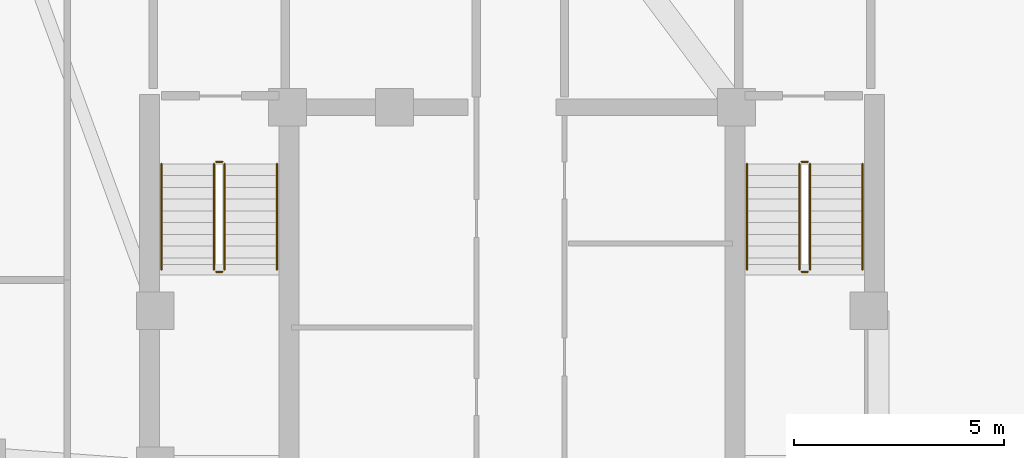
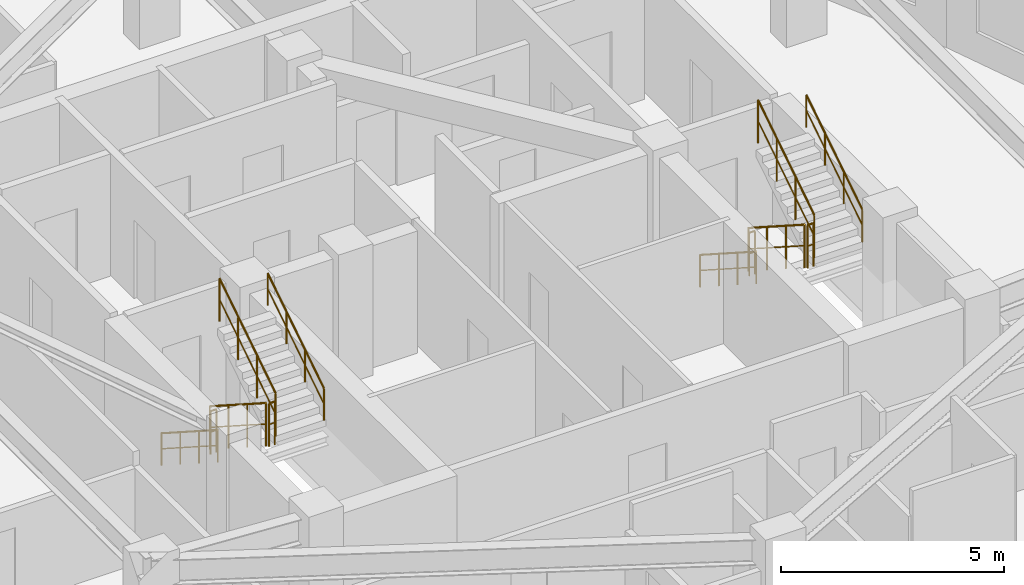
# One storey, part 12 of 12: 12 railings.
"""IFC4 building model written with IfcOpenShell, lengths in metres."""

from ifc_helpers import new_model, si_unit, direction, frame, origin, origin_2d, place, context, subcontext, project, spatial, circle, extrude, material, type_object, element, save


model = new_model("IFC4")

# Units and contexts
model_context = context("Model", 3, precision=1e-05, world=origin(), true_north=direction((0.0, 1.0)))
body_context = subcontext(model_context, "Body", "Model", "MODEL_VIEW")
ifc_project = project(units=[si_unit("LENGTHUNIT", "METRE"), si_unit("AREAUNIT", "SQUARE_METRE"), si_unit("VOLUMEUNIT", "CUBIC_METRE"), si_unit("PLANEANGLEUNIT", "RADIAN"), si_unit("MASSUNIT", "GRAM", prefix="KILO")], contexts=[model_context])

# Site, building, storey
site_placement = place(None, origin())
site = spatial("IfcSite", under=ifc_project, at=site_placement, CompositionType="ELEMENT")
building_placement = place(site_placement, origin())
building = spatial("IfcBuilding", under=site, at=building_placement, Name="Miruveldt Soraemaru", CompositionType="ELEMENT")
storey_placement = place(building_placement, frame((0.0, 0.0, 219.60009765625)))
storey = spatial("IfcBuildingStorey", under=building, at=storey_placement, Name="L60", CompositionType="ELEMENT", Elevation=219.60009765625)

# Railings
ifc_material = material(Name="Steel S355 (355 MPa)", Category="steel")
railing_type_1 = type_object("IfcRailingType", Name="RAIL-HR-900", PredefinedType="HANDRAIL", material=ifc_material)
railing_1_placement = place(storey_placement, frame((35.64990234375, 42.699951171875, 0.179931640625)))
element("IfcRailing", 1, at=railing_1_placement, inside=storey, type_object=railing_type_1, Name="L60 ST-1 stair handrail 1", PredefinedType="HANDRAIL", context=body_context, shape_type="SweptSolid", body=[
    extrude(circle(Radius=0.02392578125, at=origin_2d()), frame((0.0, 0.0, 0.8759765625), z_axis=(0.0, -0.841199657755, 0.540724639528), x_axis=(1.0, 0.0, 0.0)), (0.0, 0.0, 1.0), 2.995849609375),
    extrude(circle(Radius=0.01611328125, at=origin_2d()), frame((0.0, 0.0, 0.449951171875), z_axis=(0.0, -0.841199657755, 0.540724639528), x_axis=(1.0, 0.0, 0.0)), (0.0, 0.0, 1.0), 2.995849609375),
    extrude(circle(Radius=0.02099609375, at=origin_2d()), origin(), (0.0, 0.0, 1.0), 0.851806640625),
    extrude(circle(Radius=0.02099609375, at=origin_2d()), frame((0.0, -0.840087890625, 0.5400390625)), (0.0, 0.0, 1.0), 0.851806640625),
    extrude(circle(Radius=0.02099609375, at=origin_2d()), frame((0.0, -1.679931640625, 1.079833984375)), (0.0, 0.0, 1.0), 0.851806640625),
    extrude(circle(Radius=0.02099609375, at=origin_2d()), frame((0.0, -2.52001953125, 1.619873046875)), (0.0, 0.0, 1.0), 0.851806640625),
])
railing_2_placement = place(storey_placement, frame((38.39990234375, 40.179931640625, 1.97998046875)))
element("IfcRailing", 2, at=railing_2_placement, inside=storey, type_object=railing_type_1, Name="L60 ST-1 stair handrail 2", PredefinedType="HANDRAIL", context=body_context, shape_type="SweptSolid", body=[
    extrude(circle(Radius=0.02392578125, at=origin_2d()), frame((0.0, 0.0, 0.8759765625), z_axis=(0.0, 0.841199657755, 0.540724639528), x_axis=(-1.0, 0.0, 0.0)), (0.0, 0.0, 1.0), 2.995849609375),
    extrude(circle(Radius=0.01611328125, at=origin_2d()), frame((0.0, 0.0, 0.449951171875), z_axis=(0.0, 0.841199657755, 0.540724639528), x_axis=(-1.0, 0.0, 0.0)), (0.0, 0.0, 1.0), 2.995849609375),
    extrude(circle(Radius=0.02099609375, at=origin_2d()), origin(), (0.0, 0.0, 1.0), 0.851806640625),
    extrude(circle(Radius=0.02099609375, at=origin_2d()), frame((0.0, 0.840087890625, 0.5400390625)), (0.0, 0.0, 1.0), 0.851806640625),
    extrude(circle(Radius=0.02099609375, at=origin_2d()), frame((0.0, 1.679931640625, 1.079833984375)), (0.0, 0.0, 1.0), 0.851806640625),
    extrude(circle(Radius=0.02099609375, at=origin_2d()), frame((0.0, 2.52001953125, 1.619873046875)), (0.0, 0.0, 1.0), 0.851806640625),
])
railing_3_placement = place(storey_placement, frame((49.60009765625, 42.699951171875, 0.179931640625)))
element("IfcRailing", 3, at=railing_3_placement, inside=storey, type_object=railing_type_1, Name="L60 ST-2 stair handrail 1", PredefinedType="HANDRAIL", context=body_context, shape_type="SweptSolid", body=[
    extrude(circle(Radius=0.02392578125, at=origin_2d()), frame((0.0, 0.0, 0.8759765625), z_axis=(0.0, -0.841199657755, 0.540724639528), x_axis=(1.0, 0.0, 0.0)), (0.0, 0.0, 1.0), 2.995849609375),
    extrude(circle(Radius=0.01611328125, at=origin_2d()), frame((0.0, 0.0, 0.449951171875), z_axis=(0.0, -0.841199657755, 0.540724639528), x_axis=(1.0, 0.0, 0.0)), (0.0, 0.0, 1.0), 2.995849609375),
    extrude(circle(Radius=0.02099609375, at=origin_2d()), origin(), (0.0, 0.0, 1.0), 0.851806640625),
    extrude(circle(Radius=0.02099609375, at=origin_2d()), frame((0.0, -0.840087890625, 0.5400390625)), (0.0, 0.0, 1.0), 0.851806640625),
    extrude(circle(Radius=0.02099609375, at=origin_2d()), frame((0.0, -1.679931640625, 1.079833984375)), (0.0, 0.0, 1.0), 0.851806640625),
    extrude(circle(Radius=0.02099609375, at=origin_2d()), frame((0.0, -2.52001953125, 1.619873046875)), (0.0, 0.0, 1.0), 0.851806640625),
])
railing_4_placement = place(storey_placement, frame((52.35009765625, 40.179931640625, 1.97998046875)))
element("IfcRailing", 4, at=railing_4_placement, inside=storey, type_object=railing_type_1, Name="L60 ST-2 stair handrail 2", PredefinedType="HANDRAIL", context=body_context, shape_type="SweptSolid", body=[
    extrude(circle(Radius=0.02392578125, at=origin_2d()), frame((0.0, 0.0, 0.8759765625), z_axis=(0.0, 0.841199657755, 0.540724639528), x_axis=(-1.0, 0.0, 0.0)), (0.0, 0.0, 1.0), 2.995849609375),
    extrude(circle(Radius=0.01611328125, at=origin_2d()), frame((0.0, 0.0, 0.449951171875), z_axis=(0.0, 0.841199657755, 0.540724639528), x_axis=(-1.0, 0.0, 0.0)), (0.0, 0.0, 1.0), 2.995849609375),
    extrude(circle(Radius=0.02099609375, at=origin_2d()), origin(), (0.0, 0.0, 1.0), 0.851806640625),
    extrude(circle(Radius=0.02099609375, at=origin_2d()), frame((0.0, 0.840087890625, 0.5400390625)), (0.0, 0.0, 1.0), 0.851806640625),
    extrude(circle(Radius=0.02099609375, at=origin_2d()), frame((0.0, 1.679931640625, 1.079833984375)), (0.0, 0.0, 1.0), 0.851806640625),
    extrude(circle(Radius=0.02099609375, at=origin_2d()), frame((0.0, 2.52001953125, 1.619873046875)), (0.0, 0.0, 1.0), 0.851806640625),
])
railing_type_2 = type_object("IfcRailingType", Name="RAIL-STGUARD-1200", PredefinedType="GUARDRAIL", material=ifc_material)
railing_5_placement = place(storey_placement, frame((36.89990234375, 42.699951171875, 0.179931640625)))
element("IfcRailing", 5, at=railing_5_placement, inside=storey, type_object=railing_type_2, Name="L60 ST-1 stair guard 1", PredefinedType="GUARDRAIL", context=body_context, shape_type="SweptSolid", body=[
    extrude(circle(Radius=0.02392578125, at=origin_2d()), frame((0.0, 0.0, 1.17578125), z_axis=(0.0, -0.841199657755, 0.540724639528), x_axis=(1.0, 0.0, 0.0)), (0.0, 0.0, 1.0), 2.995849609375),
    extrude(circle(Radius=0.01611328125, at=origin_2d()), frame((0.0, 0.0, 0.60009765625), z_axis=(0.0, -0.841199657755, 0.540724639528), x_axis=(1.0, 0.0, 0.0)), (0.0, 0.0, 1.0), 2.995849609375),
    extrude(circle(Radius=0.02099609375, at=origin_2d()), origin(), (0.0, 0.0, 1.0), 1.15185546875),
    extrude(circle(Radius=0.02099609375, at=origin_2d()), frame((0.0, -0.840087890625, 0.5400390625)), (0.0, 0.0, 1.0), 1.15185546875),
    extrude(circle(Radius=0.02099609375, at=origin_2d()), frame((0.0, -1.679931640625, 1.079833984375)), (0.0, 0.0, 1.0), 1.15185546875),
    extrude(circle(Radius=0.02099609375, at=origin_2d()), frame((0.0, -2.52001953125, 1.619873046875)), (0.0, 0.0, 1.0), 1.15185546875),
])
railing_6_placement = place(storey_placement, frame((36.949951171875, 40.1298828125, 1.7998046875)))
element("IfcRailing", 6, at=railing_6_placement, inside=storey, type_object=railing_type_2, Name="L60 ST-1 stair guard 2", PredefinedType="GUARDRAIL", context=body_context, shape_type="SweptSolid", body=[
    extrude(circle(Radius=0.02392578125, at=origin_2d()), frame((0.0, 0.0, 1.17578125), z_axis=(1.0, 0.0, 0.0), x_axis=(0.0, 1.0, 0.0)), (0.0, 0.0, 1.0), 0.150146484375),
    extrude(circle(Radius=0.01611328125, at=origin_2d()), frame((0.0, 0.0, 0.60009765625), z_axis=(1.0, 0.0, 0.0), x_axis=(0.0, 1.0, 0.0)), (0.0, 0.0, 1.0), 0.150146484375),
    extrude(circle(Radius=0.02099609375, at=origin_2d()), origin(), (0.0, 0.0, 1.0), 1.15185546875),
    extrude(circle(Radius=0.02099609375, at=origin_2d()), frame((0.150146484375, 0.0, 0.0)), (0.0, 0.0, 1.0), 1.15185546875),
])
railing_7_placement = place(storey_placement, frame((37.14990234375, 40.179931640625, 1.97998046875)))
element("IfcRailing", 7, at=railing_7_placement, inside=storey, type_object=railing_type_2, Name="L60 ST-1 stair guard 3", PredefinedType="GUARDRAIL", context=body_context, shape_type="SweptSolid", body=[
    extrude(circle(Radius=0.02392578125, at=origin_2d()), frame((0.0, 0.0, 1.17578125), z_axis=(0.0, 0.841199657755, 0.540724639528), x_axis=(-1.0, 0.0, 0.0)), (0.0, 0.0, 1.0), 2.995849609375),
    extrude(circle(Radius=0.01611328125, at=origin_2d()), frame((0.0, 0.0, 0.60009765625), z_axis=(0.0, 0.841199657755, 0.540724639528), x_axis=(-1.0, 0.0, 0.0)), (0.0, 0.0, 1.0), 2.995849609375),
    extrude(circle(Radius=0.02099609375, at=origin_2d()), origin(), (0.0, 0.0, 1.0), 1.15185546875),
    extrude(circle(Radius=0.02099609375, at=origin_2d()), frame((0.0, 0.840087890625, 0.5400390625)), (0.0, 0.0, 1.0), 1.15185546875),
    extrude(circle(Radius=0.02099609375, at=origin_2d()), frame((0.0, 1.679931640625, 1.079833984375)), (0.0, 0.0, 1.0), 1.15185546875),
    extrude(circle(Radius=0.02099609375, at=origin_2d()), frame((0.0, 2.52001953125, 1.619873046875)), (0.0, 0.0, 1.0), 1.15185546875),
])
railing_8_placement = place(storey_placement, frame((36.949951171875, 42.75, 0.0)))
element("IfcRailing", 8, at=railing_8_placement, inside=storey, type_object=railing_type_2, Name="L60 ST-1 stair guard 4", PredefinedType="GUARDRAIL", context=body_context, shape_type="SweptSolid", body=[
    extrude(circle(Radius=0.02392578125, at=origin_2d()), frame((0.0, 0.0, 1.17578125), z_axis=(1.0, 0.0, 0.0), x_axis=(0.0, 1.0, 0.0)), (0.0, 0.0, 1.0), 0.150146484375),
    extrude(circle(Radius=0.01611328125, at=origin_2d()), frame((0.0, 0.0, 0.60009765625), z_axis=(1.0, 0.0, 0.0), x_axis=(0.0, 1.0, 0.0)), (0.0, 0.0, 1.0), 0.150146484375),
    extrude(circle(Radius=0.02099609375, at=origin_2d()), origin(), (0.0, 0.0, 1.0), 1.15185546875),
    extrude(circle(Radius=0.02099609375, at=origin_2d()), frame((0.150146484375, 0.0, 0.0)), (0.0, 0.0, 1.0), 1.15185546875),
])
railing_9_placement = place(storey_placement, frame((50.85009765625, 42.699951171875, 0.179931640625)))
element("IfcRailing", 9, at=railing_9_placement, inside=storey, type_object=railing_type_2, Name="L60 ST-2 stair guard 1", PredefinedType="GUARDRAIL", context=body_context, shape_type="SweptSolid", body=[
    extrude(circle(Radius=0.02392578125, at=origin_2d()), frame((0.0, 0.0, 1.17578125), z_axis=(0.0, -0.841199657755, 0.540724639528), x_axis=(1.0, 0.0, 0.0)), (0.0, 0.0, 1.0), 2.995849609375),
    extrude(circle(Radius=0.01611328125, at=origin_2d()), frame((0.0, 0.0, 0.60009765625), z_axis=(0.0, -0.841199657755, 0.540724639528), x_axis=(1.0, 0.0, 0.0)), (0.0, 0.0, 1.0), 2.995849609375),
    extrude(circle(Radius=0.02099609375, at=origin_2d()), origin(), (0.0, 0.0, 1.0), 1.15185546875),
    extrude(circle(Radius=0.02099609375, at=origin_2d()), frame((0.0, -0.840087890625, 0.5400390625)), (0.0, 0.0, 1.0), 1.15185546875),
    extrude(circle(Radius=0.02099609375, at=origin_2d()), frame((0.0, -1.679931640625, 1.079833984375)), (0.0, 0.0, 1.0), 1.15185546875),
    extrude(circle(Radius=0.02099609375, at=origin_2d()), frame((0.0, -2.52001953125, 1.619873046875)), (0.0, 0.0, 1.0), 1.15185546875),
])
railing_10_placement = place(storey_placement, frame((50.89990234375, 40.1298828125, 1.7998046875)))
element("IfcRailing", 10, at=railing_10_placement, inside=storey, type_object=railing_type_2, Name="L60 ST-2 stair guard 2", PredefinedType="GUARDRAIL", context=body_context, shape_type="SweptSolid", body=[
    extrude(circle(Radius=0.02392578125, at=origin_2d()), frame((0.0, 0.0, 1.17578125), z_axis=(1.0, 0.0, 0.0), x_axis=(0.0, 1.0, 0.0)), (0.0, 0.0, 1.0), 0.150146484375),
    extrude(circle(Radius=0.01611328125, at=origin_2d()), frame((0.0, 0.0, 0.60009765625), z_axis=(1.0, 0.0, 0.0), x_axis=(0.0, 1.0, 0.0)), (0.0, 0.0, 1.0), 0.150146484375),
    extrude(circle(Radius=0.02099609375, at=origin_2d()), origin(), (0.0, 0.0, 1.0), 1.15185546875),
    extrude(circle(Radius=0.02099609375, at=origin_2d()), frame((0.150146484375, 0.0, 0.0)), (0.0, 0.0, 1.0), 1.15185546875),
])
railing_11_placement = place(storey_placement, frame((51.10009765625, 40.179931640625, 1.97998046875)))
element("IfcRailing", 11, at=railing_11_placement, inside=storey, type_object=railing_type_2, Name="L60 ST-2 stair guard 3", PredefinedType="GUARDRAIL", context=body_context, shape_type="SweptSolid", body=[
    extrude(circle(Radius=0.02392578125, at=origin_2d()), frame((0.0, 0.0, 1.17578125), z_axis=(0.0, 0.841199657755, 0.540724639528), x_axis=(-1.0, 0.0, 0.0)), (0.0, 0.0, 1.0), 2.995849609375),
    extrude(circle(Radius=0.01611328125, at=origin_2d()), frame((0.0, 0.0, 0.60009765625), z_axis=(0.0, 0.841199657755, 0.540724639528), x_axis=(-1.0, 0.0, 0.0)), (0.0, 0.0, 1.0), 2.995849609375),
    extrude(circle(Radius=0.02099609375, at=origin_2d()), origin(), (0.0, 0.0, 1.0), 1.15185546875),
    extrude(circle(Radius=0.02099609375, at=origin_2d()), frame((0.0, 0.840087890625, 0.5400390625)), (0.0, 0.0, 1.0), 1.15185546875),
    extrude(circle(Radius=0.02099609375, at=origin_2d()), frame((0.0, 1.679931640625, 1.079833984375)), (0.0, 0.0, 1.0), 1.15185546875),
    extrude(circle(Radius=0.02099609375, at=origin_2d()), frame((0.0, 2.52001953125, 1.619873046875)), (0.0, 0.0, 1.0), 1.15185546875),
])
railing_12_placement = place(storey_placement, frame((50.89990234375, 42.75, 0.0)))
element("IfcRailing", 12, at=railing_12_placement, inside=storey, type_object=railing_type_2, Name="L60 ST-2 stair guard 4", PredefinedType="GUARDRAIL", context=body_context, shape_type="SweptSolid", body=[
    extrude(circle(Radius=0.02392578125, at=origin_2d()), frame((0.0, 0.0, 1.17578125), z_axis=(1.0, 0.0, 0.0), x_axis=(0.0, 1.0, 0.0)), (0.0, 0.0, 1.0), 0.150146484375),
    extrude(circle(Radius=0.01611328125, at=origin_2d()), frame((0.0, 0.0, 0.60009765625), z_axis=(1.0, 0.0, 0.0), x_axis=(0.0, 1.0, 0.0)), (0.0, 0.0, 1.0), 0.150146484375),
    extrude(circle(Radius=0.02099609375, at=origin_2d()), origin(), (0.0, 0.0, 1.0), 1.15185546875),
    extrude(circle(Radius=0.02099609375, at=origin_2d()), frame((0.150146484375, 0.0, 0.0)), (0.0, 0.0, 1.0), 1.15185546875),
])

save(model, "model.ifc")
